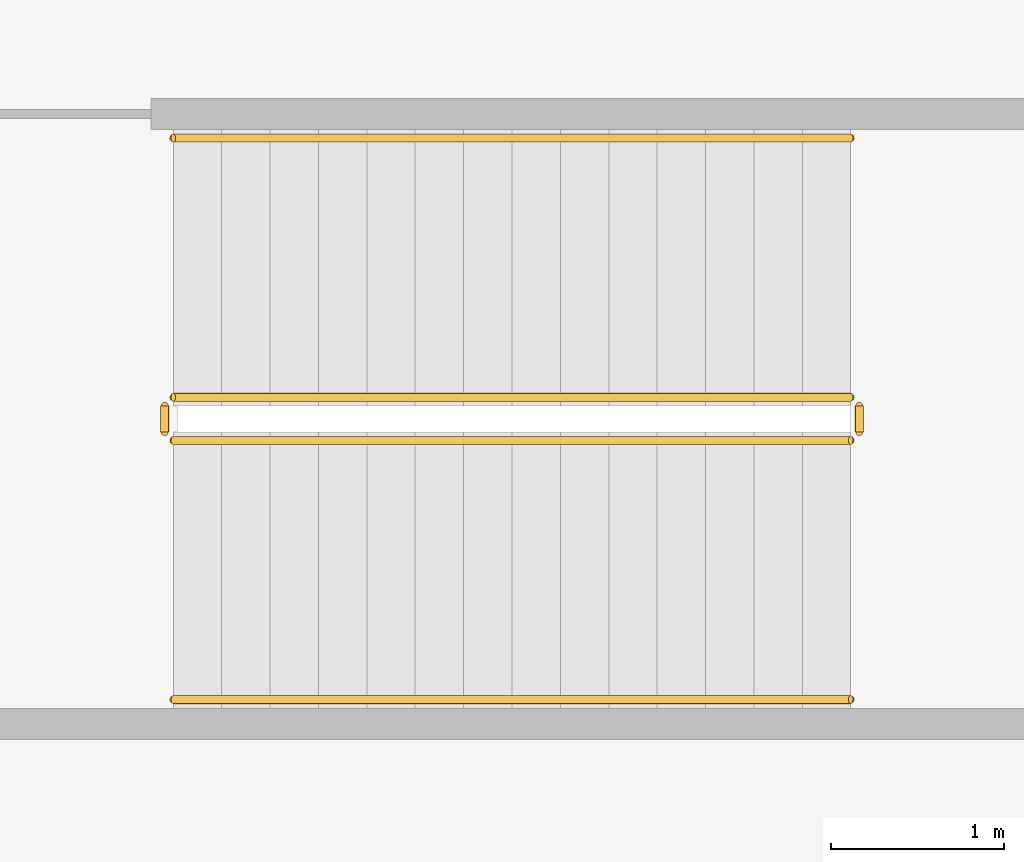
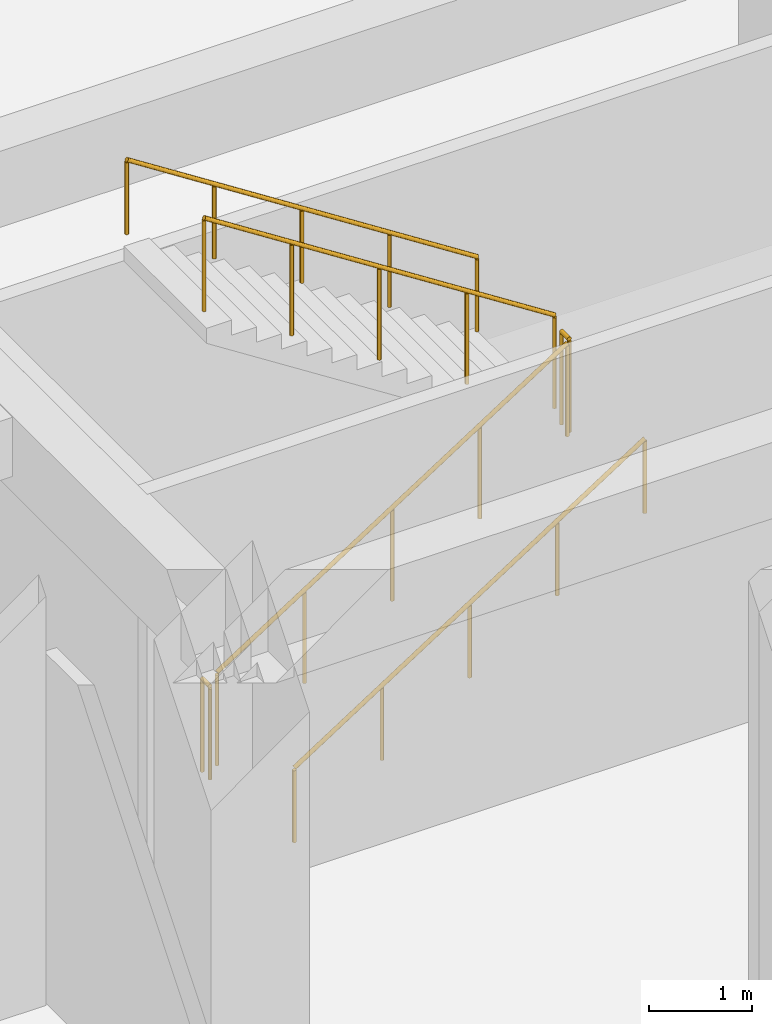
# One storey, part 11 of 14: 6 railings.
"""IFC4 building model written with IfcOpenShell, lengths in metres."""

from ifc_helpers import new_model, si_unit, direction, frame, origin, origin_2d, place, context, subcontext, project, spatial, circle, extrude, material, type_object, element, save


model = new_model("IFC4")

# Units and contexts
model_context = context("Model", 3, precision=1e-05, world=origin(), true_north=direction((0.0, 1.0)))
body_context = subcontext(model_context, "Body", "Model", "MODEL_VIEW")
ifc_project = project(units=[si_unit("LENGTHUNIT", "METRE"), si_unit("AREAUNIT", "SQUARE_METRE"), si_unit("VOLUMEUNIT", "CUBIC_METRE"), si_unit("PLANEANGLEUNIT", "RADIAN"), si_unit("MASSUNIT", "GRAM", prefix="KILO")], contexts=[model_context])

# Site, building, storey
site_placement = place(None, origin())
site = spatial("IfcSite", under=ifc_project, at=site_placement, CompositionType="ELEMENT")
building_placement = place(site_placement, origin())
building = spatial("IfcBuilding", under=site, at=building_placement, Name="Saevonmaru Cultural Tower", CompositionType="ELEMENT")
storey_placement = place(building_placement, frame((0.0, 0.0, -5.39990234375)))
storey = spatial("IfcBuildingStorey", under=building, at=storey_placement, Name="B1", CompositionType="ELEMENT", Elevation=-5.39990234375)

# Railings
ifc_material_1 = material(Name="Architectural Painted Steel", Category="steel")
railing_type_1 = type_object("IfcRailingType", Name="RL-STAIR-GUARD", PredefinedType="GUARDRAIL", material=ifc_material_1)
railing_1_placement = place(storey_placement, frame((49.800048828125, 19.75, 0.179931640625)))
element("IfcRailing", 1, at=railing_1_placement, inside=storey, type_object=railing_type_1, Name="B1 SST-2 stair guard 1", PredefinedType="GUARDRAIL", context=body_context, shape_type="SweptSolid", body=[
    extrude(circle(Radius=0.02392578125, at=origin_2d()), frame((0.0, 0.0, 1.09619140625), z_axis=(0.841171666519, 0.0, 0.540768182723), x_axis=(0.0, 1.0, 0.0)), (0.0, 0.0, 1.0), 4.66015625),
    extrude(circle(Radius=0.02099609375, at=origin_2d()), origin(), (0.0, 0.0, 1.0), 1.072021484375),
    extrude(circle(Radius=0.02099609375, at=origin_2d()), frame((0.97998046875, 0.0, 0.6298828125)), (0.0, 0.0, 1.0), 1.072021484375),
    extrude(circle(Radius=0.02099609375, at=origin_2d()), frame((1.9599609375, 0.0, 1.260009765625)), (0.0, 0.0, 1.0), 1.072021484375),
    extrude(circle(Radius=0.02099609375, at=origin_2d()), frame((2.93994140625, 0.0, 1.89013671875)), (0.0, 0.0, 1.0), 1.072021484375),
    extrude(circle(Radius=0.02099609375, at=origin_2d()), frame((3.919921875, 0.0, 2.52001953125)), (0.0, 0.0, 1.0), 1.072021484375),
])
railing_2_placement = place(storey_placement, frame((53.77001953125, 19.800048828125, 2.699951171875)))
element("IfcRailing", 2, at=railing_2_placement, inside=storey, type_object=railing_type_1, Name="B1 SST-2 stair guard 2", PredefinedType="GUARDRAIL", context=body_context, shape_type="SweptSolid", body=[
    extrude(circle(Radius=0.02392578125, at=origin_2d()), frame((0.0, 0.0, 1.09619140625), z_axis=(0.0, 1.0, 0.0), x_axis=(-1.0, 0.0, 0.0)), (0.0, 0.0, 1.0), 0.14990234375),
    extrude(circle(Radius=0.02099609375, at=origin_2d()), origin(), (0.0, 0.0, 1.0), 1.072021484375),
    extrude(circle(Radius=0.02099609375, at=origin_2d()), frame((0.0, 0.14990234375, 0.0)), (0.0, 0.0, 1.0), 1.072021484375),
])
railing_3_placement = place(storey_placement, frame((53.719970703125, 20.0, 2.8798828125)))
element("IfcRailing", 3, at=railing_3_placement, inside=storey, type_object=railing_type_1, Name="B1 SST-2 stair guard 3", PredefinedType="GUARDRAIL", context=body_context, shape_type="SweptSolid", body=[
    extrude(circle(Radius=0.02392578125, at=origin_2d()), frame((0.0, 0.0, 1.09619140625), z_axis=(-0.841171666519, 0.0, 0.540768182723), x_axis=(0.0, -1.0, 0.0)), (0.0, 0.0, 1.0), 4.66015625),
    extrude(circle(Radius=0.02099609375, at=origin_2d()), origin(), (0.0, 0.0, 1.0), 1.072021484375),
    extrude(circle(Radius=0.02099609375, at=origin_2d()), frame((-0.97998046875, 0.0, 0.6298828125)), (0.0, 0.0, 1.0), 1.072021484375),
    extrude(circle(Radius=0.02099609375, at=origin_2d()), frame((-1.9599609375, 0.0, 1.260009765625)), (0.0, 0.0, 1.0), 1.072021484375),
    extrude(circle(Radius=0.02099609375, at=origin_2d()), frame((-2.93994140625, 0.0, 1.89013671875)), (0.0, 0.0, 1.0), 1.072021484375),
    extrude(circle(Radius=0.02099609375, at=origin_2d()), frame((-3.919921875, 0.0, 2.52001953125)), (0.0, 0.0, 1.0), 1.072021484375),
])
railing_4_placement = place(storey_placement, frame((49.75, 19.800048828125, 0.0)))
element("IfcRailing", 4, at=railing_4_placement, inside=storey, type_object=railing_type_1, Name="B1 SST-2 stair guard 4", PredefinedType="GUARDRAIL", context=body_context, shape_type="SweptSolid", body=[
    extrude(circle(Radius=0.02392578125, at=origin_2d()), frame((0.0, 0.0, 1.09619140625), z_axis=(0.0, 1.0, 0.0), x_axis=(-1.0, 0.0, 0.0)), (0.0, 0.0, 1.0), 0.14990234375),
    extrude(circle(Radius=0.02099609375, at=origin_2d()), origin(), (0.0, 0.0, 1.0), 1.072021484375),
    extrude(circle(Radius=0.02099609375, at=origin_2d()), frame((0.0, 0.14990234375, 0.0)), (0.0, 0.0, 1.0), 1.072021484375),
])
ifc_material_2 = material(Name="Satin Bronze Anodised Aluminium", Category="aluminium")
railing_type_2 = type_object("IfcRailingType", Name="RL-STAIR-HANDRAIL", PredefinedType="HANDRAIL", material=ifc_material_2)
railing_5_placement = place(storey_placement, frame((49.800048828125, 18.25, 0.179931640625)))
element("IfcRailing", 5, at=railing_5_placement, inside=storey, type_object=railing_type_2, Name="B1 SST-2 stair handrail 1", PredefinedType="HANDRAIL", context=body_context, shape_type="SweptSolid", body=[
    extrude(circle(Radius=0.02392578125, at=origin_2d()), frame((0.0, 0.0, 0.8759765625), z_axis=(0.841171666519, 0.0, 0.540768182723), x_axis=(0.0, 1.0, 0.0)), (0.0, 0.0, 1.0), 4.66015625),
    extrude(circle(Radius=0.02099609375, at=origin_2d()), origin(), (0.0, 0.0, 1.0), 0.851806640625),
    extrude(circle(Radius=0.02099609375, at=origin_2d()), frame((0.97998046875, 0.0, 0.6298828125)), (0.0, 0.0, 1.0), 0.851806640625),
    extrude(circle(Radius=0.02099609375, at=origin_2d()), frame((1.9599609375, 0.0, 1.260009765625)), (0.0, 0.0, 1.0), 0.851806640625),
    extrude(circle(Radius=0.02099609375, at=origin_2d()), frame((2.93994140625, 0.0, 1.89013671875)), (0.0, 0.0, 1.0), 0.851806640625),
    extrude(circle(Radius=0.02099609375, at=origin_2d()), frame((3.919921875, 0.0, 2.52001953125)), (0.0, 0.0, 1.0), 0.851806640625),
])
railing_6_placement = place(storey_placement, frame((53.719970703125, 21.5, 2.8798828125)))
element("IfcRailing", 6, at=railing_6_placement, inside=storey, type_object=railing_type_2, Name="B1 SST-2 stair handrail 2", PredefinedType="HANDRAIL", context=body_context, shape_type="SweptSolid", body=[
    extrude(circle(Radius=0.02392578125, at=origin_2d()), frame((0.0, 0.0, 0.8759765625), z_axis=(-0.841171666519, 0.0, 0.540768182723), x_axis=(0.0, -1.0, 0.0)), (0.0, 0.0, 1.0), 4.66015625),
    extrude(circle(Radius=0.02099609375, at=origin_2d()), origin(), (0.0, 0.0, 1.0), 0.851806640625),
    extrude(circle(Radius=0.02099609375, at=origin_2d()), frame((-0.97998046875, 0.0, 0.6298828125)), (0.0, 0.0, 1.0), 0.851806640625),
    extrude(circle(Radius=0.02099609375, at=origin_2d()), frame((-1.9599609375, 0.0, 1.260009765625)), (0.0, 0.0, 1.0), 0.851806640625),
    extrude(circle(Radius=0.02099609375, at=origin_2d()), frame((-2.93994140625, 0.0, 1.89013671875)), (0.0, 0.0, 1.0), 0.851806640625),
    extrude(circle(Radius=0.02099609375, at=origin_2d()), frame((-3.919921875, 0.0, 2.52001953125)), (0.0, 0.0, 1.0), 0.851806640625),
])

save(model, "model.ifc")
